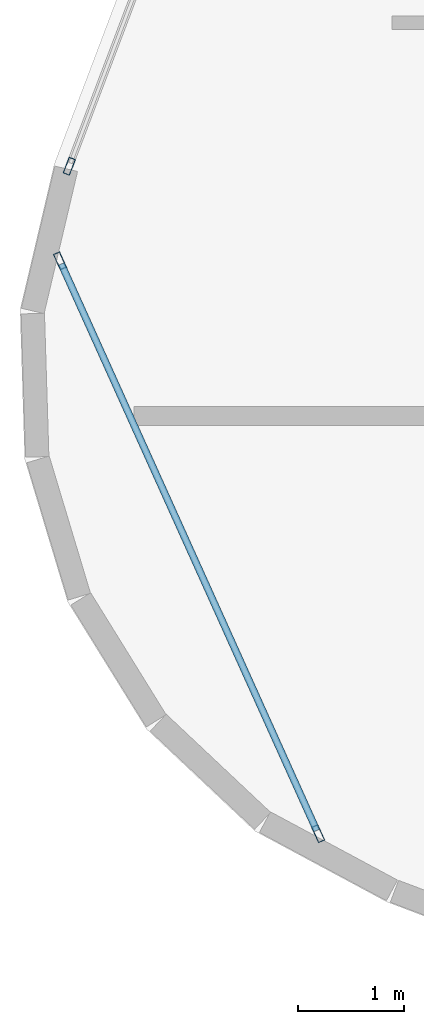
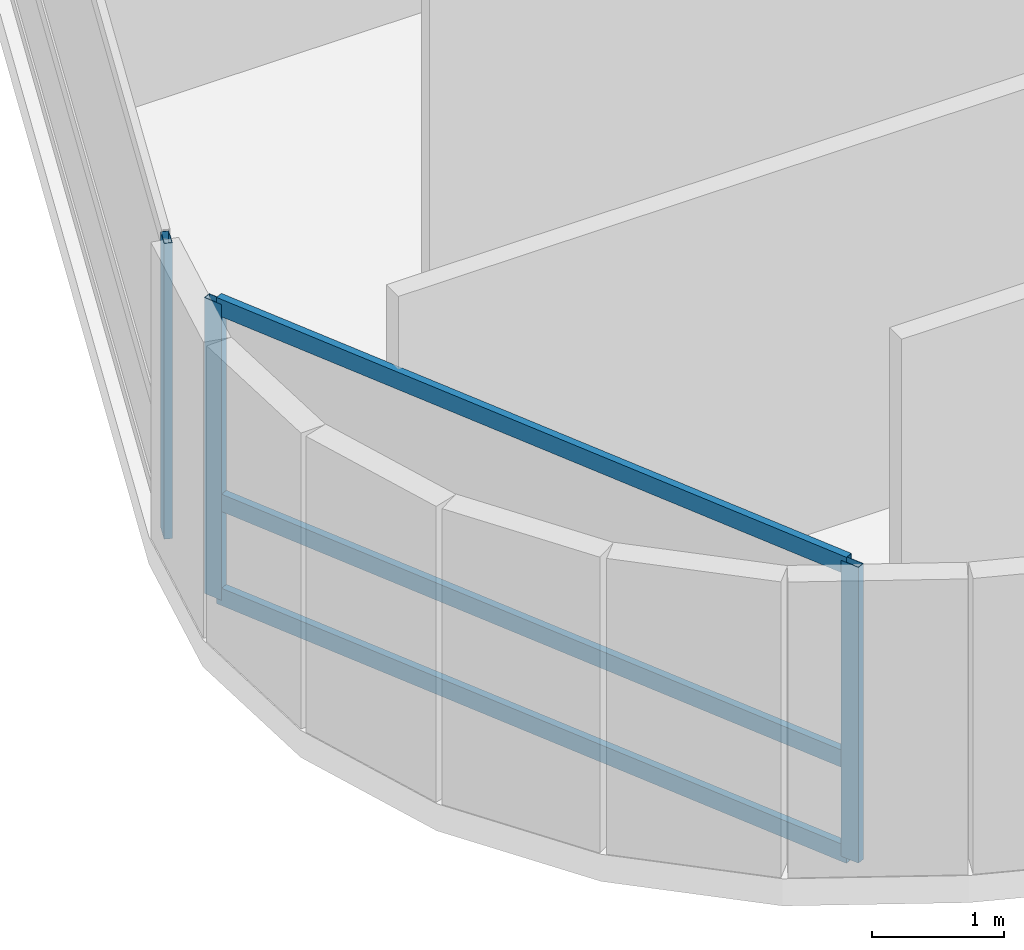
# One storey, part 2 of 25: 6 members, 2 elements without a shape of their own.
"""IFC4 building model written with IfcOpenShell, lengths in metres."""

import ifcopenshell
import ifcopenshell.guid

model = None  # the IFC model being written
_history = None  # IfcOwnerHistory: only IFC2X3 demands one
_inside = {}  # id of a spatial element -> (the spatial element, [elements in it])
_under = {}  # id of a project, library or spatial element -> (it, [spatial elements below it])
_declared = {}  # id of a project -> (the project, [libraries it declares])
_typed = {}  # id of a type object -> (the type object, [elements of that type])
_made_of = {}  # id of a material, layer set ... -> (it, [elements and type objects made of it])


def new_model(schema):
    """Start an empty IFC model of exactly this schema.

    Asked for "IFC4X3", IfcOpenShell would pick the latest addendum, in which some entities
    have other attributes; the version numbers below select the first issue.
    IFC2X3 requires an IfcOwnerHistory on every rooted entity: one is made here for all.
    """
    global model, _history
    if schema == "IFC4X3":
        model = ifcopenshell.file(schema_version=(4, 3, 0, 0))
    else:
        model = ifcopenshell.file(schema=schema)
    _inside.clear()
    _under.clear()
    _declared.clear()
    _typed.clear()
    _made_of.clear()
    _history = None
    if model.schema == "IFC2X3":
        org = make("IfcOrganization", Name="unknown")
        user = make(
            "IfcPersonAndOrganization",
            ThePerson=make("IfcPerson", FamilyName="unknown"),
            TheOrganization=org,
        )
        app = make(
            "IfcApplication",
            ApplicationDeveloper=org,
            Version="unknown",
            ApplicationFullName="unknown",
            ApplicationIdentifier="unknown",
        )
        _history = make(
            "IfcOwnerHistory",
            OwningUser=user,
            OwningApplication=app,
            ChangeAction="ADDED",
            CreationDate=0,
        )
    return model


def make(cls, **values):
    """One entity of the class cls with the attributes given. An attribute that is None is left unset."""
    return model.create_entity(
        cls, **{name: value for name, value in values.items() if value is not None}
    )


def rooted(cls, **values):
    """An entity with a GlobalId (a new one), such as an element, a storey or a relation."""
    return make(cls, GlobalId=ifcopenshell.guid.new(), OwnerHistory=_history, **values)


def si_unit(unit_type, name, prefix=None):
    """IfcSIUnit, for example si_unit("LENGTHUNIT", "METRE", prefix="MILLI")."""
    return make("IfcSIUnit", UnitType=unit_type, Prefix=prefix, Name=name)


def assignment(units):
    """IfcUnitAssignment: the units of a project."""
    return None if units is None else make("IfcUnitAssignment", Units=units)


def point(xyz):
    """IfcCartesianPoint."""
    return None if xyz is None else make("IfcCartesianPoint", Coordinates=xyz)


def direction(xyz):
    """IfcDirection."""
    return None if xyz is None else make("IfcDirection", DirectionRatios=xyz)


def frame(location, z_axis=None, x_axis=None):
    """IfcAxis2Placement3D, a coordinate frame: its origin and axes. An axis left out is left unset."""
    return make(
        "IfcAxis2Placement3D",
        Location=point(location),
        Axis=direction(z_axis),
        RefDirection=direction(x_axis),
    )


def frame_2d(location, x_axis=None):
    """IfcAxis2Placement2D, a coordinate frame in the plane: its origin and x axis."""
    return make(
        "IfcAxis2Placement2D", Location=point(location), RefDirection=direction(x_axis)
    )


def origin():
    """The frame at (0, 0, 0) with its axes left unset."""
    return frame((0.0, 0.0, 0.0))


def origin_2d():
    """The frame at (0, 0) in the plane with its x axis left unset."""
    return frame_2d((0.0, 0.0))


def place(relative_to, where):
    """IfcLocalPlacement: puts the frame where relative to a parent placement (None: the world)."""
    return make(
        "IfcLocalPlacement", PlacementRelTo=relative_to, RelativePlacement=where
    )


def context(
    kind, dimensions, precision=None, world=None, true_north=None, identifier=None
):
    """IfcGeometricRepresentationContext, for example the 3D "Model" context."""
    return make(
        "IfcGeometricRepresentationContext",
        ContextIdentifier=identifier,
        ContextType=kind,
        CoordinateSpaceDimension=dimensions,
        Precision=precision,
        WorldCoordinateSystem=world,
        TrueNorth=true_north,
    )


def subcontext(parent, identifier, kind, view, scale=None):
    """IfcGeometricRepresentationSubContext, for example "Body" below "Model"."""
    return make(
        "IfcGeometricRepresentationSubContext",
        ContextIdentifier=identifier,
        ContextType=kind,
        ParentContext=parent,
        TargetScale=scale,
        TargetView=view,
    )


def project(units=None, contexts=None):
    """IfcProject with its units and contexts."""
    return rooted(
        "IfcProject",
        Name="project",
        RepresentationContexts=contexts,
        UnitsInContext=assignment(units),
    )


def spatial(cls, under=None, at=None, **own):
    """A site, building, storey or space (cls), placed at a placement, below another one or the project."""
    s = rooted(cls, ObjectPlacement=at, **own)
    if under is not None:
        _under.setdefault(under.id(), (under, []))[1].append(s)
    return s


def profile(cls, at=None, kind="AREA", **sizes):
    """A parametric profile (cls). Its sizes go by their IFC names, for example OverallWidth=200.0."""
    return make(cls, ProfileType=kind, Position=at, **sizes)


def hollow_rectangle(**sizes):
    """IfcRectangleHollowProfileDef."""
    return profile("IfcRectangleHollowProfileDef", **sizes)


def extrude(swept, where, along, depth):
    """IfcExtrudedAreaSolid: the profile swept, set in the frame where, extruded along a direction by depth."""
    return make(
        "IfcExtrudedAreaSolid",
        SweptArea=swept,
        Position=where,
        ExtrudedDirection=direction(along),
        Depth=depth,
    )


def shape(context_of_items, identifier, shape_type, items):
    """IfcShapeRepresentation: the items that make up one representation, for example the "Body"."""
    return make(
        "IfcShapeRepresentation",
        ContextOfItems=context_of_items,
        RepresentationIdentifier=identifier,
        RepresentationType=shape_type,
        Items=items,
    )


def material(Name=None, Category=None):
    """IfcMaterial."""
    return make("IfcMaterial", Name=Name, Category=Category)


def layer(
    of_material, thickness, ventilated=None, Name=None, Category=None, Priority=None
):
    """IfcMaterialLayer: one layer of a wall or slab, of a material (None: an air gap)."""
    return make(
        "IfcMaterialLayer",
        Material=of_material,
        LayerThickness=thickness,
        IsVentilated=ventilated,
        Name=Name,
        Category=Category,
        Priority=Priority,
    )


def layer_set(layers, Name=None):
    """IfcMaterialLayerSet."""
    return make("IfcMaterialLayerSet", MaterialLayers=layers, LayerSetName=Name)


def material_profile(
    of_material, cross_section, Name=None, Category=None, Priority=None
):
    """IfcMaterialProfile: a cross section and its material."""
    return make(
        "IfcMaterialProfile",
        Name=Name,
        Material=of_material,
        Profile=cross_section,
        Priority=Priority,
        Category=Category,
    )


def profile_set(profiles, Name=None, composite=None):
    """IfcMaterialProfileSet."""
    return make(
        "IfcMaterialProfileSet",
        Name=Name,
        MaterialProfiles=profiles,
        CompositeProfile=composite,
    )


def made_of(thing, what):
    """Note that an element or type object is made of a material, layer set ...; save() writes the relation."""
    if what is not None:
        _made_of.setdefault(what.id(), (what, []))[1].append(thing)
    return thing


def type_object(cls, material=None, **own):
    """A type object (cls), such as IfcWallType, which elements share."""
    return made_of(rooted(cls, **own), material)


def element(
    cls,
    number,
    at=None,
    inside=None,
    cuts=None,
    type_object=None,
    material=None,
    context=None,
    identifier="Body",
    shape_type=None,
    held_by="IfcProductDefinitionShape",
    body=None,
    shapes=None,
    **own,
):
    """One element of the class cls, such as IfcWall. Its Tag is "e" and its number.

    at: its placement. inside: the storey or other place that contains it. cuts: it is an
    opening in that element (IfcRelVoidsElement). A single representation is given by context,
    identifier, shape_type and body (its items); several are given by shapes. held_by: the class
    of the entity that holds the representations. save() writes the other relations.
    """
    e = rooted(cls, Tag="e%d" % number, ObjectPlacement=at, **own)
    if body is not None:
        shapes = [shape(context, identifier, shape_type, body)]
    if shapes is not None:
        e.Representation = make(held_by, Representations=shapes)
    if inside is not None:
        _inside.setdefault(inside.id(), (inside, []))[1].append(e)
    if cuts is not None:
        rooted(
            "IfcRelVoidsElement", RelatingBuildingElement=cuts, RelatedOpeningElement=e
        )
    if type_object is not None:
        _typed.setdefault(type_object.id(), (type_object, []))[1].append(e)
    return made_of(e, material)


def aggregate(whole, parts):
    """IfcRelAggregates: a whole, such as a stair, and the parts it consists of."""
    return rooted("IfcRelAggregates", RelatingObject=whole, RelatedObjects=parts)


def save(model, path):
    """Write the relations noted so far, then the file.

    IfcRelAggregates (storeys below a building ...), IfcRelContainedInSpatialStructure (elements
    in a storey), IfcRelDefinesByType, IfcRelAssociatesMaterial and IfcRelDeclares: one each for
    every whole, place, type object, material and project.
    """
    for whole, parts in _under.values():
        aggregate(whole, parts)
    for where, things in _inside.values():
        rooted(
            "IfcRelContainedInSpatialStructure",
            RelatedElements=things,
            RelatingStructure=where,
        )
    for kind, things in _typed.values():
        rooted("IfcRelDefinesByType", RelatedObjects=things, RelatingType=kind)
    for what, things in _made_of.values():
        rooted("IfcRelAssociatesMaterial", RelatedObjects=things, RelatingMaterial=what)
    for by, libraries in _declared.values():
        rooted("IfcRelDeclares", RelatingContext=by, RelatedDefinitions=libraries)
    model.write(path)


model = new_model("IFC4")

# Units and contexts
model_context = context("Model", 3, precision=1e-05, world=origin(), true_north=direction((0.0, 1.0)))
body_context = subcontext(model_context, "Body", "Model", "MODEL_VIEW")
ifc_project = project(units=[si_unit("LENGTHUNIT", "METRE"), si_unit("AREAUNIT", "SQUARE_METRE"), si_unit("VOLUMEUNIT", "CUBIC_METRE"), si_unit("PLANEANGLEUNIT", "RADIAN"), si_unit("MASSUNIT", "GRAM", prefix="KILO")], contexts=[model_context])

# Site, building, storey
site_placement = place(None, origin())
site = spatial("IfcSite", under=ifc_project, at=site_placement, CompositionType="ELEMENT")
building_placement = place(site_placement, origin())
building = spatial("IfcBuilding", under=site, at=building_placement, Name="Varnelok Gate Tower", CompositionType="ELEMENT")
storey_placement = place(building_placement, frame((0.0, 0.0, 76.199951171875)))
storey = spatial("IfcBuildingStorey", under=building, at=storey_placement, Name="L18", CompositionType="ELEMENT", Elevation=76.199951171875)

# Curtain wall, member
ifc_material = material(Name="Anodized Aluminum Alloy 6063-T6", Category="aluminium")
ifc_layer_1 = layer(ifc_material, 0.179931640625)
ifc_layer_set_1 = layer_set([ifc_layer_1], Name="Anodized Aluminum Alloy 6063-T6")
curtain_wall_type_1 = type_object("IfcCurtainWallType", Name="CW3-HOTEL-VISION", PredefinedType="USERDEFINED", material=ifc_layer_set_1)
curtain_wall_1_placement = place(storey_placement, origin())
curtain_wall_1 = element("IfcCurtainWall", 1, at=curtain_wall_1_placement, inside=storey, type_object=curtain_wall_type_1, Name="L18 West End Vision Curtain Wall", ObjectType="UNITISED CURTAIN WALL", PredefinedType="USERDEFINED")
ifc_material_profile_1 = material_profile(ifc_material, hollow_rectangle(XDim=0.06494140625, YDim=0.159912109375, WallThickness=0.00390625, at=origin_2d()), Name="ALU160X65X4")
ifc_profile_set_1 = profile_set([ifc_material_profile_1], Name="Anodized Aluminum Alloy 6063-T6")
member_type_1 = type_object("IfcMemberType", Name="CW-MULL-160", PredefinedType="MULLION", material=ifc_profile_set_1)
member_1_placement = place(storey_placement, frame((-2.04345703125, 21.59521484375, 0.0), z_axis=(0.0, 0.0, 1.0), x_axis=(-0.935221323688, 0.354063660545, 0.0)))
member_1 = element("IfcMember", 2, at=member_1_placement, type_object=member_type_1, Name="CW3 mullion 1", PredefinedType="MULLION", context=body_context, shape_type="SweptSolid", body=[
    extrude(hollow_rectangle(XDim=0.06494140625, YDim=0.159912109375, WallThickness=0.00390625, at=origin_2d()), origin(), (0.0, 0.0, 1.0), 2.72998046875),
])
aggregate(curtain_wall_1, [member_1])

# Curtain wall, members
ifc_layer_2 = layer(ifc_material, 0.179931640625)
ifc_layer_set_2 = layer_set([ifc_layer_2], Name="Anodized Aluminum Alloy 6063-T6")
curtain_wall_type_2 = type_object("IfcCurtainWallType", Name="CW5-WINDCORNER-GLAZ", PredefinedType="USERDEFINED", material=ifc_layer_set_2)
curtain_wall_2_placement = place(storey_placement, origin())
curtain_wall_2 = element("IfcCurtainWall", 3, at=curtain_wall_2_placement, inside=storey, type_object=curtain_wall_type_2, Name="L18 Wind-Shaped Corner Curtain Wall SW", ObjectType="STRUCTURAL GLAZING", PredefinedType="USERDEFINED")
member_2_placement = place(storey_placement, frame((-2.1318359375, 20.703369140625, 0.0), z_axis=(0.0, 0.0, 1.0), x_axis=(0.911663577603, 0.410937369038, 0.0)))
member_2 = element("IfcMember", 4, at=member_2_placement, type_object=member_type_1, Name="CW5 mullion 1", PredefinedType="MULLION", context=body_context, shape_type="SweptSolid", body=[
    extrude(hollow_rectangle(XDim=0.06494140625, YDim=0.159912109375, WallThickness=0.00390625, at=origin_2d()), origin(), (0.0, 0.0, 1.0), 2.72998046875),
])
member_3_placement = place(storey_placement, frame((0.305419921875, 15.296142578125, 0.0), z_axis=(0.0, 0.0, 1.0), x_axis=(0.911663577603, 0.410937369038, 0.0)))
member_3 = element("IfcMember", 5, at=member_3_placement, type_object=member_type_1, Name="CW5 mullion 2", PredefinedType="MULLION", context=body_context, shape_type="SweptSolid", body=[
    extrude(hollow_rectangle(XDim=0.06494140625, YDim=0.159912109375, WallThickness=0.00390625, at=origin_2d()), origin(), (0.0, 0.0, 1.0), 2.72998046875),
])
ifc_material_profile_2 = material_profile(ifc_material, hollow_rectangle(XDim=0.06494140625, YDim=0.159912109375, WallThickness=0.00390625, at=origin_2d()), Name="ALU160X65X4")
ifc_profile_set_2 = profile_set([ifc_material_profile_2], Name="Anodized Aluminum Alloy 6063-T6")
member_type_2 = type_object("IfcMemberType", Name="CW-TRAN-160", PredefinedType="USERDEFINED", material=ifc_profile_set_2)
member_4_placement = place(storey_placement, frame((-2.11865234375, 20.673828125, 0.032470703125), z_axis=(0.410928724524, -0.911667474116, 0.0), x_axis=(0.911667474116, 0.410928724524, 0.0)))
member_4 = element("IfcMember", 6, at=member_4_placement, type_object=member_type_2, Name="CW5 transom 1.1", ObjectType="TRANSOM", PredefinedType="USERDEFINED", context=body_context, shape_type="SweptSolid", body=[
    extrude(hollow_rectangle(XDim=0.06494140625, YDim=0.159912109375, WallThickness=0.00390625, at=origin_2d()), origin(), (0.0, 0.0, 1.0), 5.8662109375),
])
member_5_placement = place(storey_placement, frame((-2.11865234375, 20.673828125, 0.900146484375), z_axis=(0.410928724524, -0.911667474116, 0.0), x_axis=(0.911667474116, 0.410928724524, 0.0)))
member_5 = element("IfcMember", 7, at=member_5_placement, type_object=member_type_2, Name="CW5 transom 1.2", ObjectType="TRANSOM", PredefinedType="USERDEFINED", context=body_context, shape_type="SweptSolid", body=[
    extrude(hollow_rectangle(XDim=0.06494140625, YDim=0.159912109375, WallThickness=0.00390625, at=origin_2d()), origin(), (0.0, 0.0, 1.0), 5.8662109375),
])
member_6_placement = place(storey_placement, frame((-2.11865234375, 20.673828125, 2.697509765625), z_axis=(0.410928724524, -0.911667474116, 0.0), x_axis=(0.911667474116, 0.410928724524, 0.0)))
member_6 = element("IfcMember", 8, at=member_6_placement, type_object=member_type_2, Name="CW5 transom 1.3", ObjectType="TRANSOM", PredefinedType="USERDEFINED", context=body_context, shape_type="SweptSolid", body=[
    extrude(hollow_rectangle(XDim=0.06494140625, YDim=0.159912109375, WallThickness=0.00390625, at=origin_2d()), origin(), (0.0, 0.0, 1.0), 5.8662109375),
])
aggregate(curtain_wall_2, [member_2, member_3, member_4, member_5, member_6])

save(model, "model.ifc")
